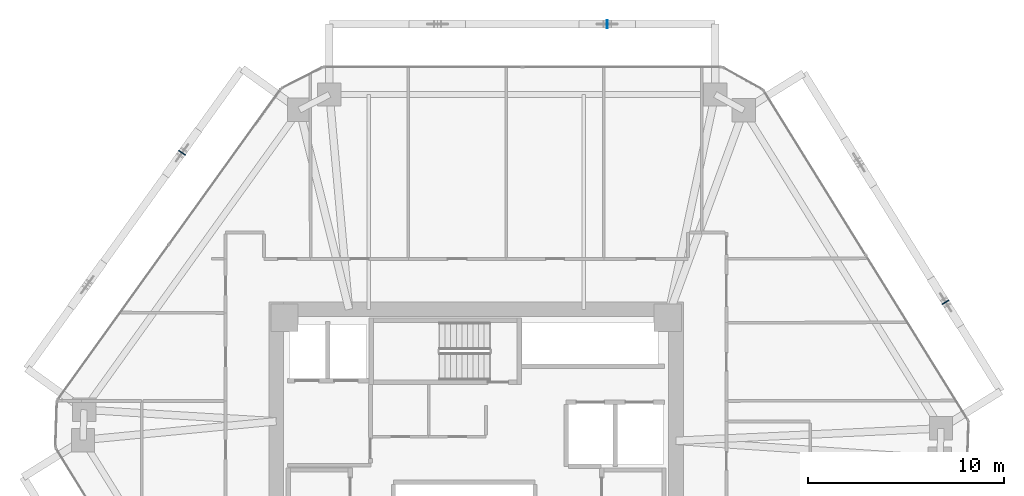
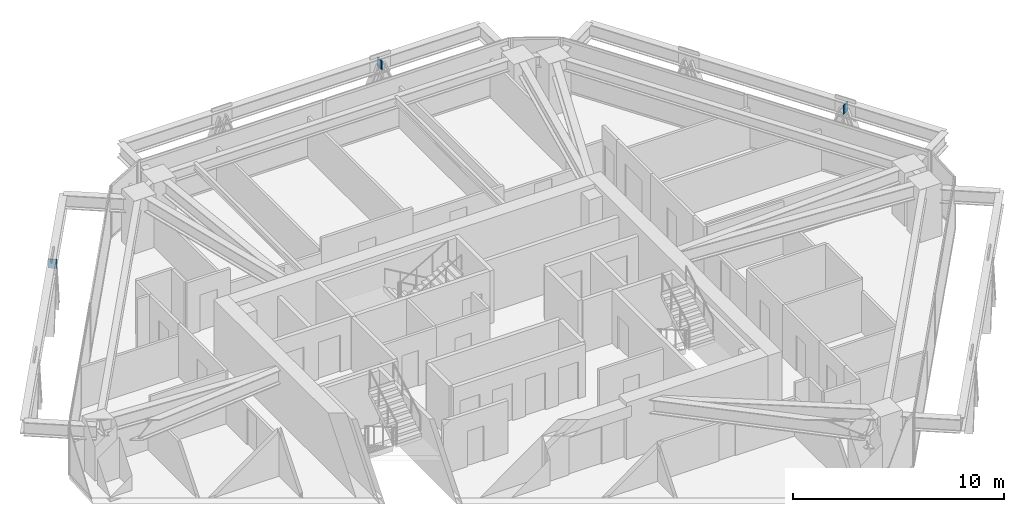
# One storey, part 11 of 16: 3 plates.
"""IFC4 building model written with IfcOpenShell, lengths in metres."""

import ifcopenshell
import ifcopenshell.guid

model = None  # the IFC model being written
_history = None  # IfcOwnerHistory: only IFC2X3 demands one
_inside = {}  # id of a spatial element -> (the spatial element, [elements in it])
_under = {}  # id of a project, library or spatial element -> (it, [spatial elements below it])
_declared = {}  # id of a project -> (the project, [libraries it declares])
_typed = {}  # id of a type object -> (the type object, [elements of that type])
_made_of = {}  # id of a material, layer set ... -> (it, [elements and type objects made of it])


def new_model(schema):
    """Start an empty IFC model of exactly this schema.

    Asked for "IFC4X3", IfcOpenShell would pick the latest addendum, in which some entities
    have other attributes; the version numbers below select the first issue.
    IFC2X3 requires an IfcOwnerHistory on every rooted entity: one is made here for all.
    """
    global model, _history
    if schema == "IFC4X3":
        model = ifcopenshell.file(schema_version=(4, 3, 0, 0))
    else:
        model = ifcopenshell.file(schema=schema)
    _inside.clear()
    _under.clear()
    _declared.clear()
    _typed.clear()
    _made_of.clear()
    _history = None
    if model.schema == "IFC2X3":
        org = make("IfcOrganization", Name="unknown")
        user = make(
            "IfcPersonAndOrganization",
            ThePerson=make("IfcPerson", FamilyName="unknown"),
            TheOrganization=org,
        )
        app = make(
            "IfcApplication",
            ApplicationDeveloper=org,
            Version="unknown",
            ApplicationFullName="unknown",
            ApplicationIdentifier="unknown",
        )
        _history = make(
            "IfcOwnerHistory",
            OwningUser=user,
            OwningApplication=app,
            ChangeAction="ADDED",
            CreationDate=0,
        )
    return model


def make(cls, **values):
    """One entity of the class cls with the attributes given. An attribute that is None is left unset."""
    return model.create_entity(
        cls, **{name: value for name, value in values.items() if value is not None}
    )


def rooted(cls, **values):
    """An entity with a GlobalId (a new one), such as an element, a storey or a relation."""
    return make(cls, GlobalId=ifcopenshell.guid.new(), OwnerHistory=_history, **values)


def si_unit(unit_type, name, prefix=None):
    """IfcSIUnit, for example si_unit("LENGTHUNIT", "METRE", prefix="MILLI")."""
    return make("IfcSIUnit", UnitType=unit_type, Prefix=prefix, Name=name)


def assignment(units):
    """IfcUnitAssignment: the units of a project."""
    return None if units is None else make("IfcUnitAssignment", Units=units)


def point(xyz):
    """IfcCartesianPoint."""
    return None if xyz is None else make("IfcCartesianPoint", Coordinates=xyz)


def direction(xyz):
    """IfcDirection."""
    return None if xyz is None else make("IfcDirection", DirectionRatios=xyz)


def frame(location, z_axis=None, x_axis=None):
    """IfcAxis2Placement3D, a coordinate frame: its origin and axes. An axis left out is left unset."""
    return make(
        "IfcAxis2Placement3D",
        Location=point(location),
        Axis=direction(z_axis),
        RefDirection=direction(x_axis),
    )


def frame_2d(location, x_axis=None):
    """IfcAxis2Placement2D, a coordinate frame in the plane: its origin and x axis."""
    return make(
        "IfcAxis2Placement2D", Location=point(location), RefDirection=direction(x_axis)
    )


def origin():
    """The frame at (0, 0, 0) with its axes left unset."""
    return frame((0.0, 0.0, 0.0))


def origin_2d():
    """The frame at (0, 0) in the plane with its x axis left unset."""
    return frame_2d((0.0, 0.0))


def place(relative_to, where):
    """IfcLocalPlacement: puts the frame where relative to a parent placement (None: the world)."""
    return make(
        "IfcLocalPlacement", PlacementRelTo=relative_to, RelativePlacement=where
    )


def context(
    kind, dimensions, precision=None, world=None, true_north=None, identifier=None
):
    """IfcGeometricRepresentationContext, for example the 3D "Model" context."""
    return make(
        "IfcGeometricRepresentationContext",
        ContextIdentifier=identifier,
        ContextType=kind,
        CoordinateSpaceDimension=dimensions,
        Precision=precision,
        WorldCoordinateSystem=world,
        TrueNorth=true_north,
    )


def subcontext(parent, identifier, kind, view, scale=None):
    """IfcGeometricRepresentationSubContext, for example "Body" below "Model"."""
    return make(
        "IfcGeometricRepresentationSubContext",
        ContextIdentifier=identifier,
        ContextType=kind,
        ParentContext=parent,
        TargetScale=scale,
        TargetView=view,
    )


def project(units=None, contexts=None):
    """IfcProject with its units and contexts."""
    return rooted(
        "IfcProject",
        Name="project",
        RepresentationContexts=contexts,
        UnitsInContext=assignment(units),
    )


def spatial(cls, under=None, at=None, **own):
    """A site, building, storey or space (cls), placed at a placement, below another one or the project."""
    s = rooted(cls, ObjectPlacement=at, **own)
    if under is not None:
        _under.setdefault(under.id(), (under, []))[1].append(s)
    return s


def profile(cls, at=None, kind="AREA", **sizes):
    """A parametric profile (cls). Its sizes go by their IFC names, for example OverallWidth=200.0."""
    return make(cls, ProfileType=kind, Position=at, **sizes)


def rectangle(**sizes):
    """IfcRectangleProfileDef."""
    return profile("IfcRectangleProfileDef", **sizes)


def extrude(swept, where, along, depth):
    """IfcExtrudedAreaSolid: the profile swept, set in the frame where, extruded along a direction by depth."""
    return make(
        "IfcExtrudedAreaSolid",
        SweptArea=swept,
        Position=where,
        ExtrudedDirection=direction(along),
        Depth=depth,
    )


def shape(context_of_items, identifier, shape_type, items):
    """IfcShapeRepresentation: the items that make up one representation, for example the "Body"."""
    return make(
        "IfcShapeRepresentation",
        ContextOfItems=context_of_items,
        RepresentationIdentifier=identifier,
        RepresentationType=shape_type,
        Items=items,
    )


def source(mapping_origin, context_of_items, identifier, shape_type, items):
    """IfcRepresentationMap: a shape defined once, which mapped items show again and again."""
    return make(
        "IfcRepresentationMap",
        MappingOrigin=mapping_origin,
        MappedRepresentation=shape(context_of_items, identifier, shape_type, items),
    )


def transform(
    local_origin,
    x_axis=None,
    y_axis=None,
    z_axis=None,
    scale=None,
    scale2=None,
    scale3=None,
    uniform=True,
):
    """IfcCartesianTransformationOperator3D, or its non-uniform kind. x_axis, y_axis, z_axis: its Axis1, 2, 3."""
    if uniform:
        return make(
            "IfcCartesianTransformationOperator3D",
            Axis1=direction(x_axis),
            Axis2=direction(y_axis),
            LocalOrigin=point(local_origin),
            Scale=scale,
            Axis3=direction(z_axis),
        )
    return make(
        "IfcCartesianTransformationOperator3DnonUniform",
        Axis1=direction(x_axis),
        Axis2=direction(y_axis),
        LocalOrigin=point(local_origin),
        Scale=scale,
        Axis3=direction(z_axis),
        Scale2=scale2,
        Scale3=scale3,
    )


def mapped(mapping_source, mapping_target):
    """IfcMappedItem: shows the shape of a source again, moved by a transform."""
    return make(
        "IfcMappedItem", MappingSource=mapping_source, MappingTarget=mapping_target
    )


def material(Name=None, Category=None):
    """IfcMaterial."""
    return make("IfcMaterial", Name=Name, Category=Category)


def layer(
    of_material, thickness, ventilated=None, Name=None, Category=None, Priority=None
):
    """IfcMaterialLayer: one layer of a wall or slab, of a material (None: an air gap)."""
    return make(
        "IfcMaterialLayer",
        Material=of_material,
        LayerThickness=thickness,
        IsVentilated=ventilated,
        Name=Name,
        Category=Category,
        Priority=Priority,
    )


def layer_set(layers, Name=None):
    """IfcMaterialLayerSet."""
    return make("IfcMaterialLayerSet", MaterialLayers=layers, LayerSetName=Name)


def made_of(thing, what):
    """Note that an element or type object is made of a material, layer set ...; save() writes the relation."""
    if what is not None:
        _made_of.setdefault(what.id(), (what, []))[1].append(thing)
    return thing


def type_object(cls, material=None, **own):
    """A type object (cls), such as IfcWallType, which elements share."""
    return made_of(rooted(cls, **own), material)


def type_shapes(of_type, sources):
    """Give a type object the sources (RepresentationMaps) that its elements show as mapped items."""
    of_type.RepresentationMaps = sources


def element(
    cls,
    number,
    at=None,
    inside=None,
    cuts=None,
    type_object=None,
    material=None,
    context=None,
    identifier="Body",
    shape_type=None,
    held_by="IfcProductDefinitionShape",
    body=None,
    shapes=None,
    **own,
):
    """One element of the class cls, such as IfcWall. Its Tag is "e" and its number.

    at: its placement. inside: the storey or other place that contains it. cuts: it is an
    opening in that element (IfcRelVoidsElement). A single representation is given by context,
    identifier, shape_type and body (its items); several are given by shapes. held_by: the class
    of the entity that holds the representations. save() writes the other relations.
    """
    e = rooted(cls, Tag="e%d" % number, ObjectPlacement=at, **own)
    if body is not None:
        shapes = [shape(context, identifier, shape_type, body)]
    if shapes is not None:
        e.Representation = make(held_by, Representations=shapes)
    if inside is not None:
        _inside.setdefault(inside.id(), (inside, []))[1].append(e)
    if cuts is not None:
        rooted(
            "IfcRelVoidsElement", RelatingBuildingElement=cuts, RelatedOpeningElement=e
        )
    if type_object is not None:
        _typed.setdefault(type_object.id(), (type_object, []))[1].append(e)
    return made_of(e, material)


def aggregate(whole, parts):
    """IfcRelAggregates: a whole, such as a stair, and the parts it consists of."""
    return rooted("IfcRelAggregates", RelatingObject=whole, RelatedObjects=parts)


def save(model, path):
    """Write the relations noted so far, then the file.

    IfcRelAggregates (storeys below a building ...), IfcRelContainedInSpatialStructure (elements
    in a storey), IfcRelDefinesByType, IfcRelAssociatesMaterial and IfcRelDeclares: one each for
    every whole, place, type object, material and project.
    """
    for whole, parts in _under.values():
        aggregate(whole, parts)
    for where, things in _inside.values():
        rooted(
            "IfcRelContainedInSpatialStructure",
            RelatedElements=things,
            RelatingStructure=where,
        )
    for kind, things in _typed.values():
        rooted("IfcRelDefinesByType", RelatedObjects=things, RelatingType=kind)
    for what, things in _made_of.values():
        rooted("IfcRelAssociatesMaterial", RelatedObjects=things, RelatingMaterial=what)
    for by, libraries in _declared.values():
        rooted("IfcRelDeclares", RelatingContext=by, RelatedDefinitions=libraries)
    model.write(path)


model = new_model("IFC4")

# Units and contexts
model_context = context("Model", 3, precision=1e-05, world=origin(), true_north=direction((0.0, 1.0)))
body_context = subcontext(model_context, "Body", "Model", "MODEL_VIEW")
ifc_project = project(units=[si_unit("LENGTHUNIT", "METRE"), si_unit("AREAUNIT", "SQUARE_METRE"), si_unit("VOLUMEUNIT", "CUBIC_METRE"), si_unit("PLANEANGLEUNIT", "RADIAN"), si_unit("MASSUNIT", "GRAM", prefix="KILO")], contexts=[model_context])

# Site, building, storey
site_placement = place(None, origin())
site = spatial("IfcSite", under=ifc_project, at=site_placement, CompositionType="ELEMENT")
building_placement = place(site_placement, origin())
building = spatial("IfcBuilding", under=site, at=building_placement, Name="Durnholm Broadcast Tower", CompositionType="ELEMENT")
storey_placement = place(building_placement, frame((0.0, 0.0, 130.5)))
storey = spatial("IfcBuildingStorey", under=building, at=storey_placement, Name="L35", CompositionType="ELEMENT", Elevation=130.5)

# Plates
ifc_material = material(Name="Steel ASTM A572 Grade 50", Category="steel")
ifc_layer = layer(ifc_material, 0.044921875)
ifc_layer_set = layer_set([ifc_layer], Name="Steel ASTM A572 Grade 50")
plate_type = type_object("IfcPlateType", Name="PLT-KN-STIF", PredefinedType="SHEET", material=ifc_layer_set)
shared_shape = source(origin(), body_context, "Body", "SweptSolid", [
    extrude(rectangle(XDim=0.044921875, YDim=0.419921875, at=origin_2d()), origin(), (0.0, 0.0, 1.0), 0.52001953125),
])
type_shapes(plate_type, [shared_shape])
for number, where, z_axis, x_axis, name in (
    (1, (24.01513671875, 8.58837890625, 2.048583984375), (0.0, 0.0, 1.0), (-0.527104121728, 0.849800708906, 0.0), "L35 welded diagrid node stiffener plate F3"),
    (2, (6.7060546875, 22.81494140625, 2.048583984375), (0.0, 0.0, 1.0), (-1.0, 0.0, 0.0), "L35 welded diagrid node stiffener plate F4"),
    (3, (-15.040771484375, 16.234375, 2.048583984375), (0.0, 0.0, 1.0), (-0.583399467156, -0.812185361677, 0.0), "L35 welded diagrid node stiffener plate F5"),
):
    element("IfcPlate", number, at=place(storey_placement, frame(where, z_axis=z_axis, x_axis=x_axis)), inside=storey, type_object=plate_type, Name=name, PredefinedType="SHEET", context=body_context, shape_type="MappedRepresentation", body=[
        mapped(shared_shape, transform((0.0, 0.0, 0.0), x_axis=(1.0, 0.0, 0.0), y_axis=(0.0, 1.0, 0.0), z_axis=(0.0, 0.0, 1.0), scale=1.0)),
    ])

save(model, "model.ifc")
